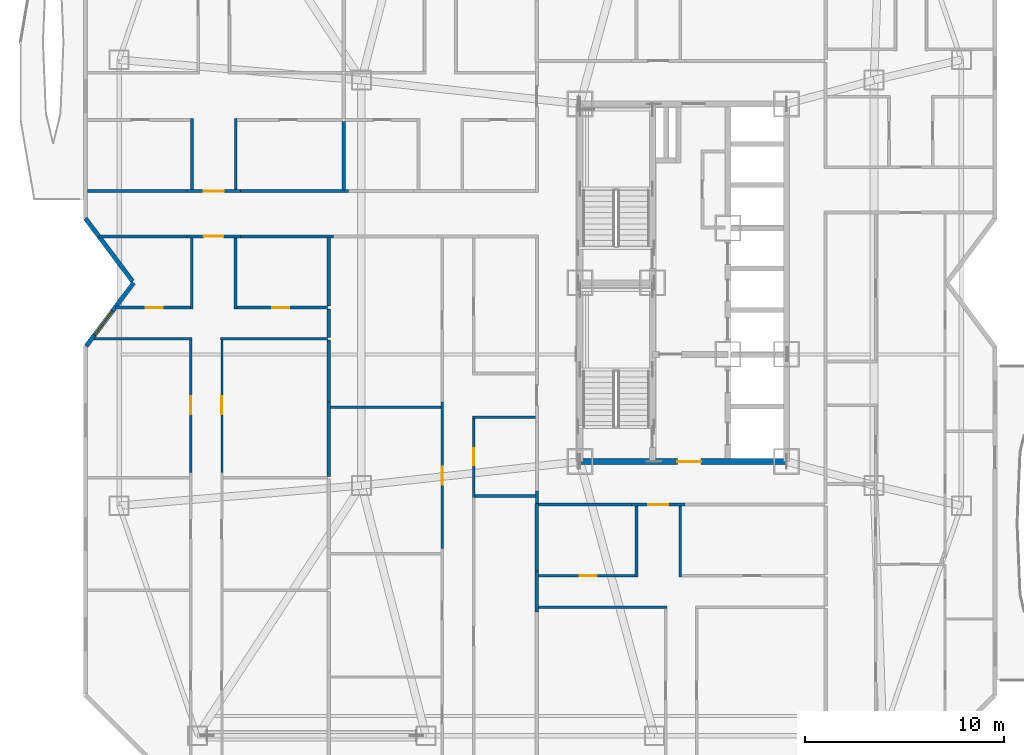
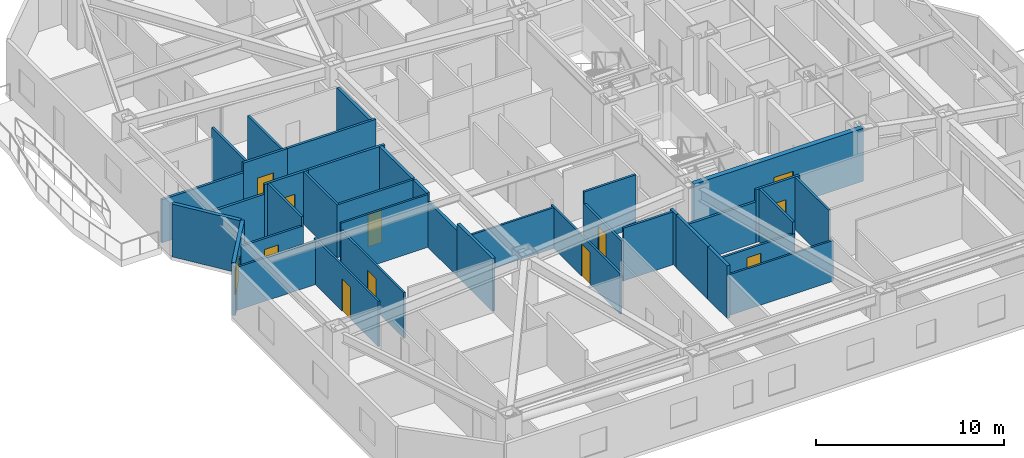
# One storey, part 9 of 16: 38 walls, 11 doors, 1 window, 12 openings.
"""IFC4 building model written with IfcOpenShell, lengths in metres."""

import ifcopenshell
import ifcopenshell.guid

model = None  # the IFC model being written
_history = None  # IfcOwnerHistory: only IFC2X3 demands one
_inside = {}  # id of a spatial element -> (the spatial element, [elements in it])
_under = {}  # id of a project, library or spatial element -> (it, [spatial elements below it])
_declared = {}  # id of a project -> (the project, [libraries it declares])
_typed = {}  # id of a type object -> (the type object, [elements of that type])
_made_of = {}  # id of a material, layer set ... -> (it, [elements and type objects made of it])


def new_model(schema):
    """Start an empty IFC model of exactly this schema.

    Asked for "IFC4X3", IfcOpenShell would pick the latest addendum, in which some entities
    have other attributes; the version numbers below select the first issue.
    IFC2X3 requires an IfcOwnerHistory on every rooted entity: one is made here for all.
    """
    global model, _history
    if schema == "IFC4X3":
        model = ifcopenshell.file(schema_version=(4, 3, 0, 0))
    else:
        model = ifcopenshell.file(schema=schema)
    _inside.clear()
    _under.clear()
    _declared.clear()
    _typed.clear()
    _made_of.clear()
    _history = None
    if model.schema == "IFC2X3":
        org = make("IfcOrganization", Name="unknown")
        user = make(
            "IfcPersonAndOrganization",
            ThePerson=make("IfcPerson", FamilyName="unknown"),
            TheOrganization=org,
        )
        app = make(
            "IfcApplication",
            ApplicationDeveloper=org,
            Version="unknown",
            ApplicationFullName="unknown",
            ApplicationIdentifier="unknown",
        )
        _history = make(
            "IfcOwnerHistory",
            OwningUser=user,
            OwningApplication=app,
            ChangeAction="ADDED",
            CreationDate=0,
        )
    return model


def make(cls, **values):
    """One entity of the class cls with the attributes given. An attribute that is None is left unset."""
    return model.create_entity(
        cls, **{name: value for name, value in values.items() if value is not None}
    )


def rooted(cls, **values):
    """An entity with a GlobalId (a new one), such as an element, a storey or a relation."""
    return make(cls, GlobalId=ifcopenshell.guid.new(), OwnerHistory=_history, **values)


def si_unit(unit_type, name, prefix=None):
    """IfcSIUnit, for example si_unit("LENGTHUNIT", "METRE", prefix="MILLI")."""
    return make("IfcSIUnit", UnitType=unit_type, Prefix=prefix, Name=name)


def assignment(units):
    """IfcUnitAssignment: the units of a project."""
    return None if units is None else make("IfcUnitAssignment", Units=units)


def point(xyz):
    """IfcCartesianPoint."""
    return None if xyz is None else make("IfcCartesianPoint", Coordinates=xyz)


def direction(xyz):
    """IfcDirection."""
    return None if xyz is None else make("IfcDirection", DirectionRatios=xyz)


def frame(location, z_axis=None, x_axis=None):
    """IfcAxis2Placement3D, a coordinate frame: its origin and axes. An axis left out is left unset."""
    return make(
        "IfcAxis2Placement3D",
        Location=point(location),
        Axis=direction(z_axis),
        RefDirection=direction(x_axis),
    )


def frame_2d(location, x_axis=None):
    """IfcAxis2Placement2D, a coordinate frame in the plane: its origin and x axis."""
    return make(
        "IfcAxis2Placement2D", Location=point(location), RefDirection=direction(x_axis)
    )


def origin():
    """The frame at (0, 0, 0) with its axes left unset."""
    return frame((0.0, 0.0, 0.0))


def place(relative_to, where):
    """IfcLocalPlacement: puts the frame where relative to a parent placement (None: the world)."""
    return make(
        "IfcLocalPlacement", PlacementRelTo=relative_to, RelativePlacement=where
    )


def context(
    kind, dimensions, precision=None, world=None, true_north=None, identifier=None
):
    """IfcGeometricRepresentationContext, for example the 3D "Model" context."""
    return make(
        "IfcGeometricRepresentationContext",
        ContextIdentifier=identifier,
        ContextType=kind,
        CoordinateSpaceDimension=dimensions,
        Precision=precision,
        WorldCoordinateSystem=world,
        TrueNorth=true_north,
    )


def subcontext(parent, identifier, kind, view, scale=None):
    """IfcGeometricRepresentationSubContext, for example "Body" below "Model"."""
    return make(
        "IfcGeometricRepresentationSubContext",
        ContextIdentifier=identifier,
        ContextType=kind,
        ParentContext=parent,
        TargetScale=scale,
        TargetView=view,
    )


def project(units=None, contexts=None):
    """IfcProject with its units and contexts."""
    return rooted(
        "IfcProject",
        Name="project",
        RepresentationContexts=contexts,
        UnitsInContext=assignment(units),
    )


def spatial(cls, under=None, at=None, **own):
    """A site, building, storey or space (cls), placed at a placement, below another one or the project."""
    s = rooted(cls, ObjectPlacement=at, **own)
    if under is not None:
        _under.setdefault(under.id(), (under, []))[1].append(s)
    return s


def profile(cls, at=None, kind="AREA", **sizes):
    """A parametric profile (cls). Its sizes go by their IFC names, for example OverallWidth=200.0."""
    return make(cls, ProfileType=kind, Position=at, **sizes)


def rectangle(**sizes):
    """IfcRectangleProfileDef."""
    return profile("IfcRectangleProfileDef", **sizes)


def extrude(swept, where, along, depth):
    """IfcExtrudedAreaSolid: the profile swept, set in the frame where, extruded along a direction by depth."""
    return make(
        "IfcExtrudedAreaSolid",
        SweptArea=swept,
        Position=where,
        ExtrudedDirection=direction(along),
        Depth=depth,
    )


def shape(context_of_items, identifier, shape_type, items):
    """IfcShapeRepresentation: the items that make up one representation, for example the "Body"."""
    return make(
        "IfcShapeRepresentation",
        ContextOfItems=context_of_items,
        RepresentationIdentifier=identifier,
        RepresentationType=shape_type,
        Items=items,
    )


def material(Name=None, Category=None):
    """IfcMaterial."""
    return make("IfcMaterial", Name=Name, Category=Category)


def layer(
    of_material, thickness, ventilated=None, Name=None, Category=None, Priority=None
):
    """IfcMaterialLayer: one layer of a wall or slab, of a material (None: an air gap)."""
    return make(
        "IfcMaterialLayer",
        Material=of_material,
        LayerThickness=thickness,
        IsVentilated=ventilated,
        Name=Name,
        Category=Category,
        Priority=Priority,
    )


def layer_set(layers, Name=None):
    """IfcMaterialLayerSet."""
    return make("IfcMaterialLayerSet", MaterialLayers=layers, LayerSetName=Name)


def made_of(thing, what):
    """Note that an element or type object is made of a material, layer set ...; save() writes the relation."""
    if what is not None:
        _made_of.setdefault(what.id(), (what, []))[1].append(thing)
    return thing


def type_object(cls, material=None, **own):
    """A type object (cls), such as IfcWallType, which elements share."""
    return made_of(rooted(cls, **own), material)


def element(
    cls,
    number,
    at=None,
    inside=None,
    cuts=None,
    type_object=None,
    material=None,
    context=None,
    identifier="Body",
    shape_type=None,
    held_by="IfcProductDefinitionShape",
    body=None,
    shapes=None,
    **own,
):
    """One element of the class cls, such as IfcWall. Its Tag is "e" and its number.

    at: its placement. inside: the storey or other place that contains it. cuts: it is an
    opening in that element (IfcRelVoidsElement). A single representation is given by context,
    identifier, shape_type and body (its items); several are given by shapes. held_by: the class
    of the entity that holds the representations. save() writes the other relations.
    """
    e = rooted(cls, Tag="e%d" % number, ObjectPlacement=at, **own)
    if body is not None:
        shapes = [shape(context, identifier, shape_type, body)]
    if shapes is not None:
        e.Representation = make(held_by, Representations=shapes)
    if inside is not None:
        _inside.setdefault(inside.id(), (inside, []))[1].append(e)
    if cuts is not None:
        rooted(
            "IfcRelVoidsElement", RelatingBuildingElement=cuts, RelatedOpeningElement=e
        )
    if type_object is not None:
        _typed.setdefault(type_object.id(), (type_object, []))[1].append(e)
    return made_of(e, material)


def fill(opening, filler):
    """IfcRelFillsElement: the door or window that sits in an opening."""
    return rooted(
        "IfcRelFillsElement",
        RelatingOpeningElement=opening,
        RelatedBuildingElement=filler,
    )


def aggregate(whole, parts):
    """IfcRelAggregates: a whole, such as a stair, and the parts it consists of."""
    return rooted("IfcRelAggregates", RelatingObject=whole, RelatedObjects=parts)


def save(model, path):
    """Write the relations noted so far, then the file.

    IfcRelAggregates (storeys below a building ...), IfcRelContainedInSpatialStructure (elements
    in a storey), IfcRelDefinesByType, IfcRelAssociatesMaterial and IfcRelDeclares: one each for
    every whole, place, type object, material and project.
    """
    for whole, parts in _under.values():
        aggregate(whole, parts)
    for where, things in _inside.values():
        rooted(
            "IfcRelContainedInSpatialStructure",
            RelatedElements=things,
            RelatingStructure=where,
        )
    for kind, things in _typed.values():
        rooted("IfcRelDefinesByType", RelatedObjects=things, RelatingType=kind)
    for what, things in _made_of.values():
        rooted("IfcRelAssociatesMaterial", RelatedObjects=things, RelatingMaterial=what)
    for by, libraries in _declared.values():
        rooted("IfcRelDeclares", RelatingContext=by, RelatedDefinitions=libraries)
    model.write(path)


model = new_model("IFC4")

# Units and contexts
model_context = context("Model", 3, precision=1e-05, world=origin(), true_north=direction((0.0, 1.0)))
body_context = subcontext(model_context, "Body", "Model", "MODEL_VIEW")
ifc_project = project(units=[si_unit("LENGTHUNIT", "METRE"), si_unit("AREAUNIT", "SQUARE_METRE"), si_unit("VOLUMEUNIT", "CUBIC_METRE"), si_unit("PLANEANGLEUNIT", "RADIAN"), si_unit("MASSUNIT", "GRAM", prefix="KILO")], contexts=[model_context])

# Site, building, storey
site_placement = place(None, origin())
site = spatial("IfcSite", under=ifc_project, at=site_placement, CompositionType="ELEMENT")
building_placement = place(site_placement, origin())
building = spatial("IfcBuilding", under=site, at=building_placement, Name="Khamvora Tower", CompositionType="ELEMENT")
storey_placement = place(building_placement, frame((0.0, 0.0, 77.10009765625)))
storey = spatial("IfcBuildingStorey", under=building, at=storey_placement, Name="L19", CompositionType="ELEMENT", Elevation=77.10009765625)

# Wall, opening, door
ifc_material_1 = material(Name="Concrete C50/60", Category="concrete")
ifc_layer_1 = layer(ifc_material_1, 0.300048828125)
ifc_layer_set_1 = layer_set([ifc_layer_1], Name="Concrete C50/60")
wall_type_1 = type_object("IfcWallType", Name="WAL-CORE-300", PredefinedType="SHEAR", material=ifc_layer_set_1)
wall_1_placement = place(storey_placement, frame((29.0, 19.0, 0.0), z_axis=(0.0, 0.0, 1.0), x_axis=(1.0, 0.0, 0.0)))
wall_1 = element("IfcWall", 1, at=wall_1_placement, inside=storey, type_object=wall_type_1, Name="L19 central core south wall", PredefinedType="SHEAR", context=body_context, shape_type="SweptSolid", body=[
    extrude(rectangle(XDim=10.39990234375, YDim=0.300048828125, at=frame_2d((5.199951171875, 0.0))), origin(), (0.0, 0.0, 1.0), 3.429931640625),
])
opening_1_placement = place(wall_1_placement, frame((4.89990234375, 0.0, 0.0)))
opening_1 = element("IfcOpeningElement", 2, at=opening_1_placement, cuts=wall_1, Name="Opening D-CR1", PredefinedType="OPENING", context=body_context, shape_type="SweptSolid", body=[
    extrude(rectangle(XDim=1.199951171875, YDim=2.14990234375, at=frame_2d((0.60009765625, 1.074951171875))), frame((0.0, 0.159912109375, 0.0), z_axis=(0.0, -1.0, 0.0), x_axis=(1.0, 0.0, 0.0)), (0.0, 0.0, 1.0), 0.320068359375),
])
ifc_material_2 = material(Name="Powder-Coated Steel and Hardwood Leaf", Category="steel")
door_type_1 = type_object("IfcDoorType", Name="DOR-CORR-1200", OperationType="NOTDEFINED", PredefinedType="DOOR", material=ifc_material_2)
door_1_placement = place(opening_1_placement, origin())
door_1 = element("IfcDoor", 3, at=door_1_placement, inside=storey, type_object=door_type_1, Name="L19 south core lobby to corridor fire door", OperationType="SINGLE_SWING_RIGHT", OverallHeight=2.14990234375, OverallWidth=1.199951171875, PredefinedType="DOOR", context=body_context, shape_type="SweptSolid", body=[
    extrude(rectangle(XDim=1.199951171875, YDim=2.14990234375, at=frame_2d((0.60009765625, 1.074951171875))), frame((0.0, 0.02490234375, 0.0), z_axis=(0.0, -1.0, 0.0), x_axis=(1.0, 0.0, 0.0)), (0.0, 0.0, 1.0), 0.050048828125),
])
fill(opening_1, door_1)

ifc_material_3 = material(Name="Fire-Rated Drywall and Steel Stud", Category="steel")
ifc_layer_2 = layer(ifc_material_3, 0.14990234375)
ifc_layer_set_2 = layer_set([ifc_layer_2], Name="Fire-Rated Drywall and Steel Stud")
wall_type_2 = type_object("IfcWallType", Name="WAL-CORR-150", PredefinedType="STANDARD", material=ifc_layer_set_2)
wall_2_placement = place(storey_placement, frame((11.906982421875, 30.3349609375, 0.0), z_axis=(0.0, 0.0, 1.0), x_axis=(-1.0, 0.0, 0.0)))
wall_2 = element("IfcWall", 4, at=wall_2_placement, inside=storey, type_object=wall_type_2, Name="L19 interior partition wall 004", PredefinedType="STANDARD", context=body_context, shape_type="SweptSolid", body=[
    extrude(rectangle(XDim=2.697998046875, YDim=0.14990234375, at=frame_2d((1.34912109375, 0.0))), origin(), (0.0, 0.0, 1.0), 3.429931640625),
])
opening_2_placement = place(wall_2_placement, frame((0.84912109375, 0.0, 0.0)))
opening_2 = element("IfcOpeningElement", 5, at=opening_2_placement, cuts=wall_2, Name="Opening D-U1", PredefinedType="OPENING", context=body_context, shape_type="SweptSolid", body=[
    extrude(rectangle(XDim=1.0, YDim=2.14990234375, at=frame_2d((0.5, 1.074951171875))), frame((0.0, 0.0849609375, 0.0), z_axis=(0.0, -1.0, 0.0), x_axis=(1.0, 0.0, 0.0)), (0.0, 0.0, 1.0), 0.169921875),
])
door_type_2 = type_object("IfcDoorType", Name="DOR-UNIT-1000", OperationType="NOTDEFINED", PredefinedType="DOOR", material=ifc_material_2)
door_2_placement = place(opening_2_placement, origin())
door_2 = element("IfcDoor", 6, at=door_2_placement, inside=storey, type_object=door_type_2, Name="L19 interior door COR-19WA1H", OperationType="SINGLE_SWING_LEFT", OverallHeight=2.14990234375, OverallWidth=1.0, PredefinedType="DOOR", context=body_context, shape_type="SweptSolid", body=[
    extrude(rectangle(XDim=1.0, YDim=2.14990234375, at=frame_2d((0.5, 1.074951171875))), frame((0.0, 0.02490234375, 0.0), z_axis=(0.0, -1.0, 0.0), x_axis=(1.0, 0.0, 0.0)), (0.0, 0.0, 1.0), 0.050048828125),
])
fill(opening_2, door_2)

# Walls
wall_3_placement = place(storey_placement, frame((9.208984375, 30.3349609375, 0.0), z_axis=(0.0, 0.0, 1.0), x_axis=(-1.0, 0.0, 0.0)))
element("IfcWall", 7, at=wall_3_placement, inside=storey, type_object=wall_type_2, Name="L19 interior partition wall 005", PredefinedType="STANDARD", context=body_context, shape_type="SweptSolid", body=[
    extrude(rectangle(XDim=4.409912109375, YDim=0.14990234375, at=frame_2d((2.205078125, 0.0))), origin(), (0.0, 0.0, 1.0), 2.802978515625),
])
wall_4_placement = place(storey_placement, frame((16.595947265625, 30.3349609375, 0.0), z_axis=(0.0, 0.0, 1.0), x_axis=(-1.0, 0.0, 0.0)))
element("IfcWall", 8, at=wall_4_placement, inside=storey, type_object=wall_type_2, Name="L19 interior partition wall 006", PredefinedType="STANDARD", context=body_context, shape_type="SweptSolid", body=[
    extrude(rectangle(XDim=4.68896484375, YDim=0.14990234375, at=frame_2d((2.344482421875, 0.0))), origin(), (0.0, 0.0, 1.0), 3.429931640625),
])
wall_5_placement = place(storey_placement, frame((26.8349609375, 16.89990234375, 0.0), z_axis=(0.0, 0.0, 1.0), x_axis=(0.0, 1.0, 0.0)))
element("IfcWall", 9, at=wall_5_placement, inside=storey, type_object=wall_type_2, Name="L19 interior partition wall 007", PredefinedType="STANDARD", context=body_context, shape_type="SweptSolid", body=[
    extrude(rectangle(XDim=0.6181640625, YDim=0.14990234375, at=frame_2d((0.30908203125, 0.0))), origin(), (0.0, 0.0, 1.0), 3.429931640625),
])

# Wall, opening, door
wall_6_placement = place(storey_placement, frame((9.22607421875, 32.614990234375, 0.0), z_axis=(0.0, 0.0, 1.0), x_axis=(1.0, 0.0, 0.0)))
wall_6 = element("IfcWall", 10, at=wall_6_placement, inside=storey, type_object=wall_type_2, Name="L19 interior partition wall 014", PredefinedType="STANDARD", context=body_context, shape_type="SweptSolid", body=[
    extrude(rectangle(XDim=2.697998046875, YDim=0.14990234375, at=frame_2d((1.34912109375, 0.0))), origin(), (0.0, 0.0, 1.0), 3.429931640625),
])
opening_3_placement = place(wall_6_placement, frame((0.84912109375, 0.0, 0.0)))
opening_3 = element("IfcOpeningElement", 11, at=opening_3_placement, cuts=wall_6, Name="Opening D-U1", PredefinedType="OPENING", context=body_context, shape_type="SweptSolid", body=[
    extrude(rectangle(XDim=1.0, YDim=2.14990234375, at=frame_2d((0.5, 1.074951171875))), frame((0.0, 0.0849609375, 0.0), z_axis=(0.0, -1.0, 0.0), x_axis=(1.0, 0.0, 0.0)), (0.0, 0.0, 1.0), 0.169921875),
])
door_3_placement = place(opening_3_placement, origin())
door_3 = element("IfcDoor", 12, at=door_3_placement, inside=storey, type_object=door_type_2, Name="L19 interior door COR-19WBH", OperationType="SINGLE_SWING_LEFT", OverallHeight=2.14990234375, OverallWidth=1.0, PredefinedType="DOOR", context=body_context, shape_type="SweptSolid", body=[
    extrude(rectangle(XDim=1.0, YDim=2.14990234375, at=frame_2d((0.5, 1.074951171875))), frame((0.0, 0.02490234375, 0.0), z_axis=(0.0, -1.0, 0.0), x_axis=(1.0, 0.0, 0.0)), (0.0, 0.0, 1.0), 0.050048828125),
])
fill(opening_3, door_3)

# Walls
wall_7_placement = place(storey_placement, frame((4.2119140625, 32.614990234375, 0.0), z_axis=(0.0, 0.0, 1.0), x_axis=(1.0, 0.0, 0.0)))
element("IfcWall", 13, at=wall_7_placement, inside=storey, type_object=wall_type_2, Name="L19 interior partition wall 015", PredefinedType="STANDARD", context=body_context, shape_type="SweptSolid", body=[
    extrude(rectangle(XDim=5.01416015625, YDim=0.14990234375, at=frame_2d((2.507080078125, 0.0))), origin(), (0.0, 0.0, 1.0), 2.802978515625),
])
wall_8_placement = place(storey_placement, frame((11.924072265625, 32.614990234375, 0.0), z_axis=(0.0, 0.0, 1.0), x_axis=(1.0, 0.0, 0.0)))
element("IfcWall", 14, at=wall_8_placement, inside=storey, type_object=wall_type_2, Name="L19 interior partition wall 016", PredefinedType="STANDARD", context=body_context, shape_type="SweptSolid", body=[
    extrude(rectangle(XDim=5.429931640625, YDim=0.14990234375, at=frame_2d((2.71484375, 0.0))), origin(), (0.0, 0.0, 1.0), 3.429931640625),
])

# Wall, opening, door
wall_9_placement = place(storey_placement, frame((34.299072265625, 16.8349609375, 0.0), z_axis=(0.0, 0.0, 1.0), x_axis=(-1.0, 0.0, 0.0)))
wall_9 = element("IfcWall", 15, at=wall_9_placement, inside=storey, type_object=wall_type_2, Name="L19 interior partition wall 023", PredefinedType="STANDARD", context=body_context, shape_type="SweptSolid", body=[
    extrude(rectangle(XDim=2.697998046875, YDim=0.14990234375, at=frame_2d((1.34912109375, 0.0))), origin(), (0.0, 0.0, 1.0), 3.429931640625),
])
opening_4_placement = place(wall_9_placement, frame((0.84912109375, 0.0, 0.0)))
opening_4 = element("IfcOpeningElement", 16, at=opening_4_placement, cuts=wall_9, Name="Opening D-U1", PredefinedType="OPENING", context=body_context, shape_type="SweptSolid", body=[
    extrude(rectangle(XDim=1.0, YDim=2.14990234375, at=frame_2d((0.5, 1.074951171875))), frame((0.0, 0.0849609375, 0.0), z_axis=(0.0, -1.0, 0.0), x_axis=(1.0, 0.0, 0.0)), (0.0, 0.0, 1.0), 0.169921875),
])
door_4_placement = place(opening_4_placement, origin())
door_4 = element("IfcDoor", 17, at=door_4_placement, inside=storey, type_object=door_type_2, Name="L19 interior door COR-19SAH", OperationType="SINGLE_SWING_LEFT", OverallHeight=2.14990234375, OverallWidth=1.0, PredefinedType="DOOR", context=body_context, shape_type="SweptSolid", body=[
    extrude(rectangle(XDim=1.0, YDim=2.14990234375, at=frame_2d((0.5, 1.074951171875))), frame((0.0, 0.02490234375, 0.0), z_axis=(0.0, -1.0, 0.0), x_axis=(1.0, 0.0, 0.0)), (0.0, 0.0, 1.0), 0.050048828125),
])
fill(opening_4, door_4)

# Walls
wall_10_placement = place(storey_placement, frame((31.60107421875, 16.8349609375, 0.0), z_axis=(0.0, 0.0, 1.0), x_axis=(-1.0, 0.0, 0.0)))
element("IfcWall", 18, at=wall_10_placement, inside=storey, type_object=wall_type_2, Name="L19 interior partition wall 024", PredefinedType="STANDARD", context=body_context, shape_type="SweptSolid", body=[
    extrude(rectangle(XDim=4.701171875, YDim=0.14990234375, at=frame_2d((2.3505859375, 0.0))), origin(), (0.0, 0.0, 1.0), 2.64697265625),
])
ifc_material_4 = material(Name="Acoustic Double-Stud Fire Wall", Category="gypsum")
ifc_layer_3 = layer(ifc_material_4, 0.179931640625)
ifc_layer_set_3 = layer_set([ifc_layer_3], Name="Acoustic Double-Stud Fire Wall")
wall_type_3 = type_object("IfcWallType", Name="WAL-CORR-180", PredefinedType="STANDARD", material=ifc_layer_set_3)
wall_11_placement = place(storey_placement, frame((16.345947265625, 26.68994140625, 0.0), z_axis=(0.0, 0.0, 1.0), x_axis=(0.0, -1.0, 0.0)))
element("IfcWall", 19, at=wall_11_placement, inside=storey, type_object=wall_type_3, Name="L19 interior partition wall 052", PredefinedType="STANDARD", context=body_context, shape_type="SweptSolid", body=[
    extrude(rectangle(XDim=1.449951171875, YDim=0.179931640625, at=frame_2d((0.72509765625, 0.0))), origin(), (0.0, 0.0, 1.0), 3.429931640625),
])
wall_12_placement = place(storey_placement, frame((16.345947265625, 30.27001953125, 0.0), z_axis=(0.0, 0.0, 1.0), x_axis=(0.0, -1.0, 0.0)))
element("IfcWall", 20, at=wall_12_placement, inside=storey, type_object=wall_type_3, Name="L19 interior partition wall 053", PredefinedType="STANDARD", context=body_context, shape_type="SweptSolid", body=[
    extrude(rectangle(XDim=3.449951171875, YDim=0.179931640625, at=frame_2d((1.72509765625, 0.0))), origin(), (0.0, 0.0, 1.0), 3.429931640625),
])
wall_13_placement = place(storey_placement, frame((16.345947265625, 21.987060546875, 0.0), z_axis=(0.0, 0.0, 1.0), x_axis=(0.0, -1.0, 0.0)))
element("IfcWall", 21, at=wall_13_placement, inside=storey, type_object=wall_type_3, Name="L19 interior partition wall 062", PredefinedType="STANDARD", context=body_context, shape_type="SweptSolid", body=[
    extrude(rectangle(XDim=3.72998046875, YDim=0.179931640625, at=frame_2d((1.864990234375, 0.0))), origin(), (0.0, 0.0, 1.0), 3.429931640625),
])
wall_14_placement = place(storey_placement, frame((16.345947265625, 25.110107421875, 0.0), z_axis=(0.0, 0.0, 1.0), x_axis=(0.0, -1.0, 0.0)))
element("IfcWall", 22, at=wall_14_placement, inside=storey, type_object=wall_type_3, Name="L19 interior partition wall 063", PredefinedType="STANDARD", context=body_context, shape_type="SweptSolid", body=[
    extrude(rectangle(XDim=3.123046875, YDim=0.179931640625, at=frame_2d((1.5615234375, 0.0))), origin(), (0.0, 0.0, 1.0), 2.9609375),
])
wall_15_placement = place(storey_placement, frame((26.8349609375, 13.50390625, 0.0), z_axis=(0.0, 0.0, 1.0), x_axis=(0.0, -1.0, 0.0)))
element("IfcWall", 23, at=wall_15_placement, inside=storey, type_object=wall_type_3, Name="L19 interior partition wall 066", PredefinedType="STANDARD", context=body_context, shape_type="SweptSolid", body=[
    extrude(rectangle(XDim=2.077880859375, YDim=0.179931640625, at=frame_2d((1.0390625, 0.0))), origin(), (0.0, 0.0, 1.0), 3.429931640625),
])
wall_16_placement = place(storey_placement, frame((26.8349609375, 16.89990234375, 0.0), z_axis=(0.0, 0.0, 1.0), x_axis=(0.0, -1.0, 0.0)))
element("IfcWall", 24, at=wall_16_placement, inside=storey, type_object=wall_type_3, Name="L19 interior partition wall 067", PredefinedType="STANDARD", context=body_context, shape_type="SweptSolid", body=[
    extrude(rectangle(XDim=3.39599609375, YDim=0.179931640625, at=frame_2d((1.697998046875, 0.0))), origin(), (0.0, 0.0, 1.0), 3.429931640625),
])
wall_17_placement = place(storey_placement, frame((17.10498046875, 36.1298828125, 0.0), z_axis=(0.0, 0.0, 1.0), x_axis=(0.0, -1.0, 0.0)))
element("IfcWall", 25, at=wall_17_placement, inside=storey, type_object=wall_type_3, Name="L19 interior partition wall 091", PredefinedType="STANDARD", context=body_context, shape_type="SweptSolid", body=[
    extrude(rectangle(XDim=3.447998046875, YDim=0.179931640625, at=frame_2d((1.72412109375, 0.0))), origin(), (0.0, 0.0, 1.0), 3.429931640625),
])

# Wall, opening, window
ifc_material_5 = material(Name="Precast concrete C40/50", Category="concrete")
ifc_layer_4 = layer(ifc_material_5, 0.219970703125)
ifc_layer_set_4 = layer_set([ifc_layer_4], Name="Precast concrete C40/50")
wall_type_4 = type_object("IfcWallType", Name="WAL-EXT-220", PredefinedType="STANDARD", material=ifc_layer_set_4)
wall_18_placement = place(storey_placement, frame((4.14501953125, 24.80908203125, 0.0), z_axis=(0.0, 0.0, 1.0), x_axis=(0.599823674734, 0.800132213592, 0.0)))
wall_18 = element("IfcWall", 26, at=wall_18_placement, inside=storey, type_object=wall_type_4, Name="L19 exterior facade wall 03.1", PredefinedType="STANDARD", context=body_context, shape_type="SweptSolid", body=[
    extrude(rectangle(XDim=3.988037109375, YDim=0.219970703125, at=frame_2d((1.994140625, 0.0))), origin(), (0.0, 0.0, 1.0), 3.429931640625),
])
opening_5_placement = place(wall_18_placement, frame((0.70703125, 0.0, 0.85009765625)))
opening_5 = element("IfcOpeningElement", 27, at=opening_5_placement, cuts=wall_18, Name="Opening WN-02", PredefinedType="OPENING", context=body_context, shape_type="SweptSolid", body=[
    extrude(rectangle(XDim=1.5, YDim=1.60009765625, at=frame_2d((0.75, 0.800048828125))), frame((0.0, 0.119873046875, 0.0), z_axis=(0.0, -1.0, 0.0), x_axis=(1.0, 0.0, 0.0)), (0.0, 0.0, 1.0), 0.239990234375),
])
ifc_material_6 = material(Name="Low-E Laminated Double Glazing", Category="glass")
window_type = type_object("IfcWindowType", Name="WIN-VIS-1500x1600", PartitioningType="SINGLE_PANEL", PredefinedType="WINDOW", material=ifc_material_6)
window_placement = place(opening_5_placement, origin())
window = element("IfcWindow", 28, at=window_placement, inside=storey, type_object=window_type, Name="L19 vision window 03.1.01", OverallHeight=1.60009765625, OverallWidth=1.5, PartitioningType="SINGLE_PANEL", PredefinedType="WINDOW", context=body_context, shape_type="SweptSolid", body=[
    extrude(rectangle(XDim=1.5, YDim=1.60009765625, at=frame_2d((0.75, 0.800048828125))), frame((0.0, 0.030029296875, 0.0), z_axis=(0.0, -1.0, 0.0), x_axis=(1.0, 0.0, 0.0)), (0.0, 0.0, 1.0), 0.06005859375),
])
fill(opening_5, window)

# Wall
wall_19_placement = place(storey_placement, frame((6.47998046875, 28.076904296875, 0.0), z_axis=(0.0, 0.0, 1.0), x_axis=(-0.599960442794, 0.800029666377, 0.0)))
element("IfcWall", 29, at=wall_19_placement, inside=storey, type_object=wall_type_4, Name="L19 exterior facade wall 04.1", PredefinedType="STANDARD", context=body_context, shape_type="SweptSolid", body=[
    extrude(rectangle(XDim=3.949951171875, YDim=0.219970703125, at=frame_2d((1.97509765625, 0.0))), origin(), (0.0, 0.0, 1.0), 3.429931640625),
])

# Wall, opening, door
ifc_material_7 = material(Name="Gypsum Plasterboard Partition", Category="gypsum")
ifc_layer_5 = layer(ifc_material_7, 0.1201171875)
ifc_layer_set_5 = layer_set([ifc_layer_5], Name="Gypsum Plasterboard Partition")
wall_type_5 = type_object("IfcWallType", Name="WAL-PART-120", PredefinedType="PARTITIONING", material=ifc_layer_set_5)
wall_20_placement = place(storey_placement, frame((9.410888671875, 18.44189453125, 0.0), z_axis=(0.0, 0.0, 1.0), x_axis=(0.0, 1.0, 0.0)))
wall_20 = element("IfcWall", 30, at=wall_20_placement, inside=storey, type_object=wall_type_5, Name="L19 interior partition wall 046", PredefinedType="PARTITIONING", context=body_context, shape_type="SweptSolid", body=[
    extrude(rectangle(XDim=6.798095703125, YDim=0.1201171875, at=frame_2d((3.39892578125, 0.0))), origin(), (0.0, 0.0, 1.0), 2.9609375),
])
opening_6_placement = place(wall_20_placement, frame((2.948974609375, 0.0, 0.0)))
opening_6 = element("IfcOpeningElement", 31, at=opening_6_placement, cuts=wall_20, Name="Opening D-RM1", PredefinedType="OPENING", context=body_context, shape_type="SweptSolid", body=[
    extrude(rectangle(XDim=0.89990234375, YDim=2.10009765625, at=frame_2d((0.449951171875, 1.050048828125))), frame((0.0, 0.070068359375, 0.0), z_axis=(0.0, -1.0, 0.0), x_axis=(1.0, 0.0, 0.0)), (0.0, 0.0, 1.0), 0.14013671875),
])
door_type_3 = type_object("IfcDoorType", Name="DOR-ROOM-900", OperationType="NOTDEFINED", PredefinedType="DOOR", material=ifc_material_2)
door_5_placement = place(opening_6_placement, origin())
door_5 = element("IfcDoor", 32, at=door_5_placement, inside=storey, type_object=door_type_3, Name="L19 interior door 19WA1H-19WA1R3", OperationType="SINGLE_SWING_LEFT", OverallHeight=2.10009765625, OverallWidth=0.89990234375, PredefinedType="DOOR", context=body_context, shape_type="SweptSolid", body=[
    extrude(rectangle(XDim=0.89990234375, YDim=2.10009765625, at=frame_2d((0.449951171875, 1.050048828125))), frame((0.0, 0.02490234375, 0.0), z_axis=(0.0, -1.0, 0.0), x_axis=(1.0, 0.0, 0.0)), (0.0, 0.0, 1.0), 0.050048828125),
])
fill(opening_6, door_5)

# Walls
wall_21_placement = place(storey_placement, frame((9.47607421875, 25.175048828125, 0.0), z_axis=(0.0, 0.0, 1.0), x_axis=(-1.0, 0.0, 0.0)))
element("IfcWall", 33, at=wall_21_placement, inside=storey, type_object=wall_type_5, Name="L19 interior partition wall 047", PredefinedType="PARTITIONING", context=body_context, shape_type="SweptSolid", body=[
    extrude(rectangle(XDim=4.945068359375, YDim=0.1201171875, at=frame_2d((2.47265625, 0.0))), origin(), (0.0, 0.0, 1.0), 2.802978515625),
])
wall_22_placement = place(storey_placement, frame((16.281005859375, 25.175048828125, 0.0), z_axis=(0.0, 0.0, 1.0), x_axis=(-1.0, 0.0, 0.0)))
element("IfcWall", 34, at=wall_22_placement, inside=storey, type_object=wall_type_5, Name="L19 interior partition wall 050", PredefinedType="PARTITIONING", context=body_context, shape_type="SweptSolid", body=[
    extrude(rectangle(XDim=5.364990234375, YDim=0.1201171875, at=frame_2d((2.6826171875, 0.0))), origin(), (0.0, 0.0, 1.0), 3.429931640625),
])

# Wall, opening, door
wall_23_placement = place(storey_placement, frame((10.98095703125, 25.239990234375, 0.0), z_axis=(0.0, 0.0, 1.0), x_axis=(0.0, -1.0, 0.0)))
wall_23 = element("IfcWall", 35, at=wall_23_placement, inside=storey, type_object=wall_type_5, Name="L19 interior partition wall 051", PredefinedType="PARTITIONING", context=body_context, shape_type="SweptSolid", body=[
    extrude(rectangle(XDim=6.798095703125, YDim=0.1201171875, at=frame_2d((3.39892578125, 0.0))), origin(), (0.0, 0.0, 1.0), 2.9609375),
])
opening_7_placement = place(wall_23_placement, frame((2.948974609375, 0.0, 0.0)))
opening_7 = element("IfcOpeningElement", 36, at=opening_7_placement, cuts=wall_23, Name="Opening D-RM1", PredefinedType="OPENING", context=body_context, shape_type="SweptSolid", body=[
    extrude(rectangle(XDim=0.89990234375, YDim=2.10009765625, at=frame_2d((0.449951171875, 1.050048828125))), frame((0.0, 0.070068359375, 0.0), z_axis=(0.0, -1.0, 0.0), x_axis=(1.0, 0.0, 0.0)), (0.0, 0.0, 1.0), 0.14013671875),
])
door_6_placement = place(opening_7_placement, origin())
door_6 = element("IfcDoor", 37, at=door_6_placement, inside=storey, type_object=door_type_3, Name="L19 interior door 19WA1H-19WA1R6", OperationType="SINGLE_SWING_RIGHT", OverallHeight=2.10009765625, OverallWidth=0.89990234375, PredefinedType="DOOR", context=body_context, shape_type="SweptSolid", body=[
    extrude(rectangle(XDim=0.89990234375, YDim=2.10009765625, at=frame_2d((0.449951171875, 1.050048828125))), frame((0.0, 0.02490234375, 0.0), z_axis=(0.0, -1.0, 0.0), x_axis=(1.0, 0.0, 0.0)), (0.0, 0.0, 1.0), 0.050048828125),
])
fill(opening_7, door_6)

wall_24_placement = place(storey_placement, frame((22.070068359375, 14.616943359375, 0.0), z_axis=(0.0, 0.0, 1.0), x_axis=(0.0, 1.0, 0.0)))
wall_24 = element("IfcWall", 38, at=wall_24_placement, inside=storey, type_object=wall_type_5, Name="L19 interior partition wall 075", PredefinedType="PARTITIONING", context=body_context, shape_type="SweptSolid", body=[
    extrude(rectangle(XDim=7.3701171875, YDim=0.1201171875, at=frame_2d((3.68505859375, 0.0))), origin(), (0.0, 0.0, 1.0), 2.64697265625),
])
opening_8_placement = place(wall_24_placement, frame((3.214111328125, 0.0, 0.0)))
opening_8 = element("IfcOpeningElement", 39, at=opening_8_placement, cuts=wall_24, Name="Opening D-RM1", PredefinedType="OPENING", context=body_context, shape_type="SweptSolid", body=[
    extrude(rectangle(XDim=0.89990234375, YDim=2.10009765625, at=frame_2d((0.449951171875, 1.050048828125))), frame((0.0, 0.070068359375, 0.0), z_axis=(0.0, -1.0, 0.0), x_axis=(1.0, 0.0, 0.0)), (0.0, 0.0, 1.0), 0.14013671875),
])
door_7_placement = place(opening_8_placement, origin())
door_7 = element("IfcDoor", 40, at=door_7_placement, inside=storey, type_object=door_type_3, Name="L19 interior door 19WA2H-19WA2R3", OperationType="SINGLE_SWING_RIGHT", OverallHeight=2.10009765625, OverallWidth=0.89990234375, PredefinedType="DOOR", context=body_context, shape_type="SweptSolid", body=[
    extrude(rectangle(XDim=0.89990234375, YDim=2.10009765625, at=frame_2d((0.449951171875, 1.050048828125))), frame((0.0, 0.02490234375, 0.0), z_axis=(0.0, -1.0, 0.0), x_axis=(1.0, 0.0, 0.0)), (0.0, 0.0, 1.0), 0.050048828125),
])
fill(opening_8, door_7)

# Walls
wall_25_placement = place(storey_placement, frame((16.427978515625, 21.738037109375, 0.0), z_axis=(0.0, 0.0, 1.0), x_axis=(1.0, 0.0, 0.0)))
element("IfcWall", 41, at=wall_25_placement, inside=storey, type_object=wall_type_5, Name="L19 interior partition wall 079", PredefinedType="PARTITIONING", context=body_context, shape_type="SweptSolid", body=[
    extrude(rectangle(XDim=5.588134765625, YDim=0.1201171875, at=frame_2d((2.7939453125, 0.0))), origin(), (0.0, 0.0, 1.0), 2.64697265625),
])
wall_26_placement = place(storey_placement, frame((33.3798828125, 11.675048828125, 0.0), z_axis=(0.0, 0.0, 1.0), x_axis=(-1.0, 0.0, 0.0)))
element("IfcWall", 42, at=wall_26_placement, inside=storey, type_object=wall_type_5, Name="L19 interior partition wall 118", PredefinedType="PARTITIONING", context=body_context, shape_type="SweptSolid", body=[
    extrude(rectangle(XDim=6.462890625, YDim=0.1201171875, at=frame_2d((3.2314453125, 0.0))), origin(), (0.0, 0.0, 1.0), 2.64697265625),
])

# Wall, opening, door
ifc_material_8 = material(Name="Moisture-Resistant Plasterboard Partition", Category="gypsum")
ifc_layer_6 = layer(ifc_material_8, 0.135009765625)
ifc_layer_set_6 = layer_set([ifc_layer_6], Name="Moisture-Resistant Plasterboard Partition")
wall_type_6 = type_object("IfcWallType", Name="WAL-WET-135", PredefinedType="PARTITIONING", material=ifc_layer_set_6)
wall_27_placement = place(storey_placement, frame((5.617919921875, 26.7548828125, 0.0), z_axis=(0.0, 0.0, 1.0), x_axis=(1.0, 0.0, 0.0)))
wall_27 = element("IfcWall", 43, at=wall_27_placement, inside=storey, type_object=wall_type_6, Name="L19 interior partition wall 040", PredefinedType="PARTITIONING", context=body_context, shape_type="SweptSolid", body=[
    extrude(rectangle(XDim=3.905029296875, YDim=0.135009765625, at=frame_2d((1.95263671875, 0.0))), origin(), (0.0, 0.0, 1.0), 2.802978515625),
])
opening_9_placement = place(wall_27_placement, frame((1.527099609375, 0.0, 0.0)))
opening_9 = element("IfcOpeningElement", 44, at=opening_9_placement, cuts=wall_27, Name="Opening D-WC1", PredefinedType="OPENING", context=body_context, shape_type="SweptSolid", body=[
    extrude(rectangle(XDim=0.85009765625, YDim=2.10009765625, at=frame_2d((0.425048828125, 1.050048828125))), frame((0.0, 0.077392578125, 0.0), z_axis=(0.0, -1.0, 0.0), x_axis=(1.0, 0.0, 0.0)), (0.0, 0.0, 1.0), 0.155029296875),
])
door_type_4 = type_object("IfcDoorType", Name="DOR-WET-850", OperationType="NOTDEFINED", PredefinedType="DOOR", material=ifc_material_2)
door_8_placement = place(opening_9_placement, origin())
door_8 = element("IfcDoor", 45, at=door_8_placement, inside=storey, type_object=door_type_4, Name="L19 interior door 19WA1H-19WA1B", OperationType="SINGLE_SWING_LEFT", OverallHeight=2.10009765625, OverallWidth=0.85009765625, PredefinedType="DOOR", context=body_context, shape_type="SweptSolid", body=[
    extrude(rectangle(XDim=0.85009765625, YDim=2.10009765625, at=frame_2d((0.425048828125, 1.050048828125))), frame((0.0, 0.02490234375, 0.0), z_axis=(0.0, -1.0, 0.0), x_axis=(1.0, 0.0, 0.0)), (0.0, 0.0, 1.0), 0.050048828125),
])
fill(opening_9, door_8)

# Walls
for number, where, z_axis, x_axis, name in (
    (46, (9.4580078125, 26.68994140625, 0.0), (0.0, 0.0, 1.0), (0.0, 1.0, 0.0), "L19 interior partition wall 041"),
    (47, (11.657958984375, 30.27001953125, 0.0), (0.0, 0.0, 1.0), (0.0, -1.0, 0.0), "L19 interior partition wall 042"),
):
    element("IfcWall", number, at=place(storey_placement, frame(where, z_axis=z_axis, x_axis=x_axis)), inside=storey, type_object=wall_type_6, Name=name, PredefinedType="PARTITIONING", context=body_context, shape_type="SweptSolid", body=[
        extrude(rectangle(XDim=3.580078125, YDim=0.135009765625, at=frame_2d((1.7900390625, 0.0))), origin(), (0.0, 0.0, 1.0), 3.429931640625),
    ])

# Wall, opening, door
wall_28_placement = place(storey_placement, frame((11.593017578125, 26.7548828125, 0.0), z_axis=(0.0, 0.0, 1.0), x_axis=(1.0, 0.0, 0.0)))
wall_28 = element("IfcWall", 48, at=wall_28_placement, inside=storey, type_object=wall_type_6, Name="L19 interior partition wall 043", PredefinedType="PARTITIONING", context=body_context, shape_type="SweptSolid", body=[
    extrude(rectangle(XDim=4.68798828125, YDim=0.135009765625, at=frame_2d((2.343994140625, 0.0))), origin(), (0.0, 0.0, 1.0), 3.429931640625),
])
opening_10_placement = place(wall_28_placement, frame((1.9189453125, 0.0, 0.0)))
opening_10 = element("IfcOpeningElement", 49, at=opening_10_placement, cuts=wall_28, Name="Opening D-RM2", PredefinedType="OPENING", context=body_context, shape_type="SweptSolid", body=[
    extrude(rectangle(XDim=0.85009765625, YDim=2.10009765625, at=frame_2d((0.425048828125, 1.050048828125))), frame((0.0, 0.077392578125, 0.0), z_axis=(0.0, -1.0, 0.0), x_axis=(1.0, 0.0, 0.0)), (0.0, 0.0, 1.0), 0.155029296875),
])
door_type_5 = type_object("IfcDoorType", Name="DOR-ROOM-850", OperationType="NOTDEFINED", PredefinedType="DOOR", material=ifc_material_2)
door_9_placement = place(opening_10_placement, origin())
door_9 = element("IfcDoor", 50, at=door_9_placement, inside=storey, type_object=door_type_5, Name="L19 interior door 19WA1H-19WA1K", OperationType="SINGLE_SWING_RIGHT", OverallHeight=2.10009765625, OverallWidth=0.85009765625, PredefinedType="DOOR", context=body_context, shape_type="SweptSolid", body=[
    extrude(rectangle(XDim=0.85009765625, YDim=2.10009765625, at=frame_2d((0.425048828125, 1.050048828125))), frame((0.0, 0.02490234375, 0.0), z_axis=(0.0, -1.0, 0.0), x_axis=(1.0, 0.0, 0.0)), (0.0, 0.0, 1.0), 0.050048828125),
])
fill(opening_10, door_9)

# Walls
wall_29_placement = place(storey_placement, frame((23.715087890625, 17.26904296875, 0.0), z_axis=(0.0, 0.0, 1.0), x_axis=(1.0, 0.0, 0.0)))
element("IfcWall", 51, at=wall_29_placement, inside=storey, type_object=wall_type_6, Name="L19 interior partition wall 065", PredefinedType="PARTITIONING", context=body_context, shape_type="SweptSolid", body=[
    extrude(rectangle(XDim=3.054931640625, YDim=0.135009765625, at=frame_2d((1.52734375, 0.0))), origin(), (0.0, 0.0, 1.0), 3.429931640625),
])
wall_30_placement = place(storey_placement, frame((26.77001953125, 21.23388671875, 0.0), z_axis=(0.0, 0.0, 1.0), x_axis=(-1.0, 0.0, 0.0)))
element("IfcWall", 52, at=wall_30_placement, inside=storey, type_object=wall_type_6, Name="L19 interior partition wall 069", PredefinedType="PARTITIONING", context=body_context, shape_type="SweptSolid", body=[
    extrude(rectangle(XDim=3.18505859375, YDim=0.135009765625, at=frame_2d((1.592529296875, 0.0))), origin(), (0.0, 0.0, 1.0), 3.429931640625),
])

# Wall, opening, door
wall_31_placement = place(storey_placement, frame((23.64990234375, 21.299072265625, 0.0), z_axis=(0.0, 0.0, 1.0), x_axis=(0.0, -1.0, 0.0)))
wall_31 = element("IfcWall", 53, at=wall_31_placement, inside=storey, type_object=wall_type_6, Name="L19 interior partition wall 070", PredefinedType="PARTITIONING", context=body_context, shape_type="SweptSolid", body=[
    extrude(rectangle(XDim=4.094970703125, YDim=0.135009765625, at=frame_2d((2.04736328125, 0.0))), origin(), (0.0, 0.0, 1.0), 2.64697265625),
])
opening_11_placement = place(wall_31_placement, frame((1.6220703125, 0.0, 0.0)))
opening_11 = element("IfcOpeningElement", 54, at=opening_11_placement, cuts=wall_31, Name="Opening D-WC1", PredefinedType="OPENING", context=body_context, shape_type="SweptSolid", body=[
    extrude(rectangle(XDim=0.85009765625, YDim=2.10009765625, at=frame_2d((0.425048828125, 1.050048828125))), frame((0.0, 0.077392578125, 0.0), z_axis=(0.0, -1.0, 0.0), x_axis=(1.0, 0.0, 0.0)), (0.0, 0.0, 1.0), 0.155029296875),
])
door_10_placement = place(opening_11_placement, origin())
door_10 = element("IfcDoor", 55, at=door_10_placement, inside=storey, type_object=door_type_4, Name="L19 interior door 19WA2H-19WA2B", OperationType="SINGLE_SWING_RIGHT", OverallHeight=2.10009765625, OverallWidth=0.85009765625, PredefinedType="DOOR", context=body_context, shape_type="SweptSolid", body=[
    extrude(rectangle(XDim=0.85009765625, YDim=2.10009765625, at=frame_2d((0.425048828125, 1.050048828125))), frame((0.0, 0.02490234375, 0.0), z_axis=(0.0, -1.0, 0.0), x_axis=(1.0, 0.0, 0.0)), (0.0, 0.0, 1.0), 0.050048828125),
])
fill(opening_11, door_10)

# Walls
for number, where, z_axis, x_axis, name in (
    (56, (9.47509765625, 32.681884765625, 0.0), (0.0, 0.0, 1.0), (0.0, 1.0, 0.0), "L19 interior partition wall 080"),
    (57, (11.675048828125, 36.260009765625, 0.0), (0.0, 0.0, 1.0), (0.0, -1.0, 0.0), "L19 interior partition wall 083"),
):
    element("IfcWall", number, at=place(storey_placement, frame(where, z_axis=z_axis, x_axis=x_axis)), inside=storey, type_object=wall_type_6, Name=name, PredefinedType="PARTITIONING", context=body_context, shape_type="SweptSolid", body=[
        extrude(rectangle(XDim=3.578125, YDim=0.135009765625, at=frame_2d((1.7890625, 0.0))), origin(), (0.0, 0.0, 1.0), 3.429931640625),
    ])

# Wall, opening, door
wall_32_placement = place(storey_placement, frame((26.9169921875, 13.2548828125, 0.0), z_axis=(0.0, 0.0, 1.0), x_axis=(1.0, 0.0, 0.0)))
wall_32 = element("IfcWall", 58, at=wall_32_placement, inside=storey, type_object=wall_type_6, Name="L19 interior partition wall 113", PredefinedType="PARTITIONING", context=body_context, shape_type="SweptSolid", body=[
    extrude(rectangle(XDim=4.998046875, YDim=0.135009765625, at=frame_2d((2.4990234375, 0.0))), origin(), (0.0, 0.0, 1.0), 2.64697265625),
])
opening_12_placement = place(wall_32_placement, frame((2.073974609375, 0.0, 0.0)))
opening_12 = element("IfcOpeningElement", 59, at=opening_12_placement, cuts=wall_32, Name="Opening D-WC1", PredefinedType="OPENING", context=body_context, shape_type="SweptSolid", body=[
    extrude(rectangle(XDim=0.85009765625, YDim=2.10009765625, at=frame_2d((0.425048828125, 1.050048828125))), frame((0.0, 0.077392578125, 0.0), z_axis=(0.0, -1.0, 0.0), x_axis=(1.0, 0.0, 0.0)), (0.0, 0.0, 1.0), 0.155029296875),
])
door_11_placement = place(opening_12_placement, origin())
door_11 = element("IfcDoor", 60, at=door_11_placement, inside=storey, type_object=door_type_4, Name="L19 interior door 19SAH-19SAB", OperationType="SINGLE_SWING_LEFT", OverallHeight=2.10009765625, OverallWidth=0.85009765625, PredefinedType="DOOR", context=body_context, shape_type="SweptSolid", body=[
    extrude(rectangle(XDim=0.85009765625, YDim=2.10009765625, at=frame_2d((0.425048828125, 1.050048828125))), frame((0.0, 0.02490234375, 0.0), z_axis=(0.0, -1.0, 0.0), x_axis=(1.0, 0.0, 0.0)), (0.0, 0.0, 1.0), 0.050048828125),
])
fill(opening_12, door_11)

# Walls
for number, where, z_axis, x_axis, name in (
    (61, (31.85009765625, 13.18994140625, 0.0), (0.0, 0.0, 1.0), (0.0, 1.0, 0.0), "L19 interior partition wall 114"),
    (62, (34.050048828125, 16.77001953125, 0.0), (0.0, 0.0, 1.0), (0.0, -1.0, 0.0), "L19 interior partition wall 115"),
):
    element("IfcWall", number, at=place(storey_placement, frame(where, z_axis=z_axis, x_axis=x_axis)), inside=storey, type_object=wall_type_6, Name=name, PredefinedType="PARTITIONING", context=body_context, shape_type="SweptSolid", body=[
        extrude(rectangle(XDim=3.580078125, YDim=0.135009765625, at=frame_2d((1.7900390625, 0.0))), origin(), (0.0, 0.0, 1.0), 3.429931640625),
    ])

save(model, "model.ifc")
